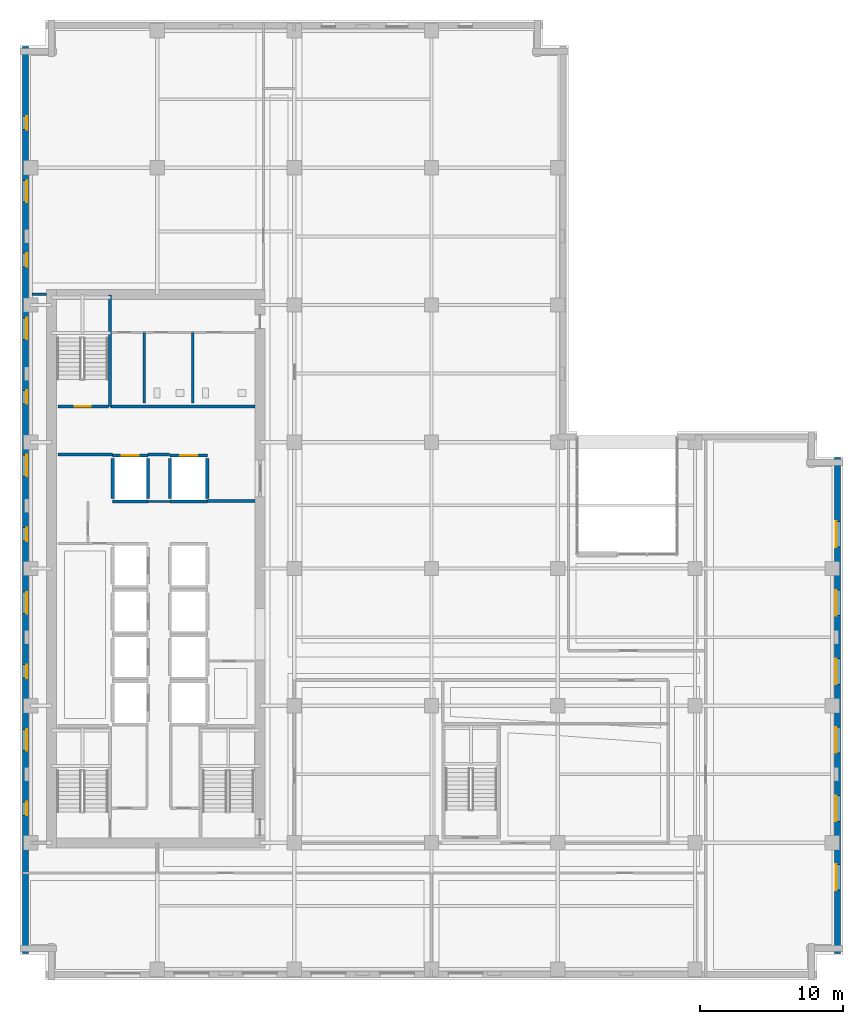
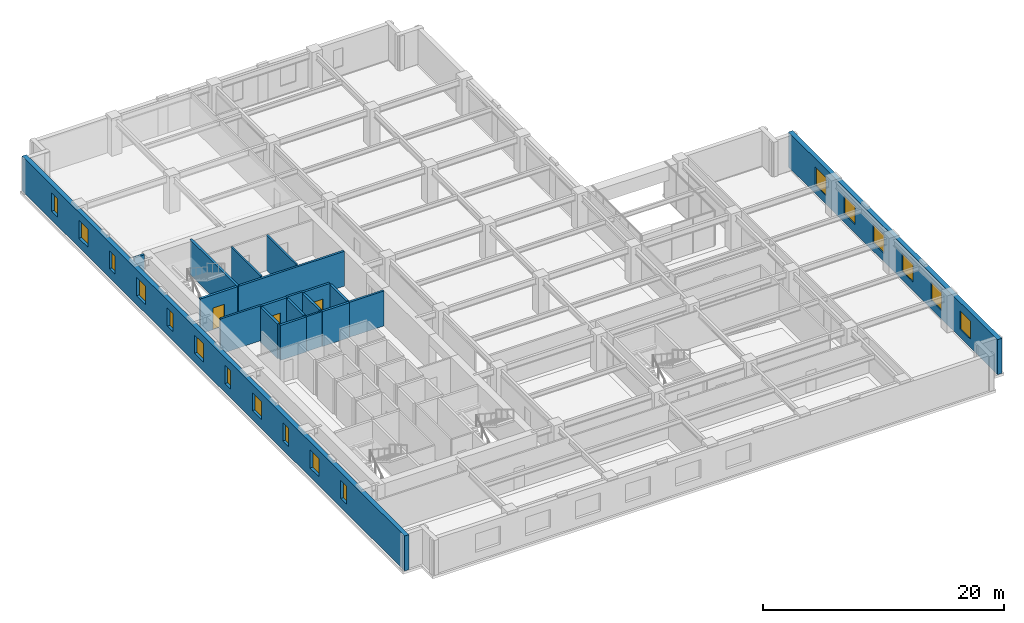
# One storey, part 6 of 14: 20 walls, 17 windows, 3 doors, 20 openings.
"""IFC4 building model written with IfcOpenShell, lengths in metres."""

from ifc_helpers import new_model, si_unit, direction, frame, frame_2d, origin, place, context, subcontext, project, spatial, rectangle, extrude, material, layer, layer_set, type_object, element, fill, save


model = new_model("IFC4")

# Units and contexts
model_context = context("Model", 3, precision=1e-05, world=origin(), true_north=direction((0.0, 1.0)))
body_context = subcontext(model_context, "Body", "Model", "MODEL_VIEW")
ifc_project = project(units=[si_unit("LENGTHUNIT", "METRE"), si_unit("AREAUNIT", "SQUARE_METRE"), si_unit("VOLUMEUNIT", "CUBIC_METRE"), si_unit("PLANEANGLEUNIT", "RADIAN"), si_unit("MASSUNIT", "GRAM", prefix="KILO")], contexts=[model_context])

# Site, building, storey
site_placement = place(None, origin())
site = spatial("IfcSite", under=ifc_project, at=site_placement, CompositionType="ELEMENT")
building_placement = place(site_placement, origin())
building = spatial("IfcBuilding", under=site, at=building_placement, Name="Norrvale University Quadrangle", CompositionType="ELEMENT")
storey_placement = place(building_placement, frame((0.0, 0.0, 116.60009765625)))
storey = spatial("IfcBuildingStorey", under=building, at=storey_placement, Name="L29", CompositionType="ELEMENT", Elevation=116.60009765625)

# Wall, openings, windows
ifc_material_1 = material(Name="Buff Norman Clay Brick Masonry", Category="masonry")
ifc_layer_1 = layer(ifc_material_1, 0.419921875, Name="Buff Norman Clay Brick Masonry")
ifc_layer_set_1 = layer_set([ifc_layer_1], Name="Buff Norman Clay Brick Masonry")
wall_type_1 = type_object("IfcWallType", Name="Wall Buff Brick 420", PredefinedType="SOLIDWALL", material=ifc_layer_set_1)
wall_1_placement = place(storey_placement, frame((57.2099609375, 1.840087890625, 0.0), z_axis=(0.0, 0.0, 1.0), x_axis=(0.0, 1.0, 0.0)))
wall_1 = element("IfcWall", 1, at=wall_1_placement, inside=storey, type_object=wall_type_1, Name="Exterior Brick Facade Wall L29-04.1", PredefinedType="SOLIDWALL", context=body_context, shape_type="SweptSolid", body=[
    extrude(rectangle(XDim=34.719970703125, YDim=0.419921875, at=frame_2d((17.35986328125, 0.0))), origin(), (0.0, 0.0, 1.0), 3.539794921875),
])
opening_1_placement = place(wall_1_placement, frame((4.4599609375, 0.0, 0.85009765625)))
opening_1 = element("IfcOpeningElement", 2, at=opening_1_placement, cuts=wall_1, Name="Opening W01", PredefinedType="OPENING", context=body_context, shape_type="SweptSolid", body=[
    extrude(rectangle(XDim=1.800048828125, YDim=1.85009765625, at=frame_2d((0.89990234375, 0.925048828125))), frame((0.0, 0.221923828125, 0.0), z_axis=(0.0, -1.0, 0.0), x_axis=(1.0, 0.0, 0.0)), (0.0, 0.0, 1.0), 0.44384765625),
])
opening_2_placement = place(wall_1_placement, frame((9.260009765625, 0.0, 0.85009765625)))
opening_2 = element("IfcOpeningElement", 3, at=opening_2_placement, cuts=wall_1, Name="Opening W01", PredefinedType="OPENING", context=body_context, shape_type="SweptSolid", body=[
    extrude(rectangle(XDim=1.800048828125, YDim=1.85009765625, at=frame_2d((0.89990234375, 0.925048828125))), frame((0.0, 0.221923828125, 0.0), z_axis=(0.0, -1.0, 0.0), x_axis=(1.0, 0.0, 0.0)), (0.0, 0.0, 1.0), 0.44384765625),
])
opening_3_placement = place(wall_1_placement, frame((14.06005859375, 0.0, 0.85009765625)))
opening_3 = element("IfcOpeningElement", 4, at=opening_3_placement, cuts=wall_1, Name="Opening W01", PredefinedType="OPENING", context=body_context, shape_type="SweptSolid", body=[
    extrude(rectangle(XDim=1.800048828125, YDim=1.85009765625, at=frame_2d((0.89990234375, 0.925048828125))), frame((0.0, 0.221923828125, 0.0), z_axis=(0.0, -1.0, 0.0), x_axis=(1.0, 0.0, 0.0)), (0.0, 0.0, 1.0), 0.44384765625),
])
opening_4_placement = place(wall_1_placement, frame((18.860107421875, 0.0, 0.85009765625)))
opening_4 = element("IfcOpeningElement", 5, at=opening_4_placement, cuts=wall_1, Name="Opening W01", PredefinedType="OPENING", context=body_context, shape_type="SweptSolid", body=[
    extrude(rectangle(XDim=1.800048828125, YDim=1.85009765625, at=frame_2d((0.89990234375, 0.925048828125))), frame((0.0, 0.221923828125, 0.0), z_axis=(0.0, -1.0, 0.0), x_axis=(1.0, 0.0, 0.0)), (0.0, 0.0, 1.0), 0.44384765625),
])
opening_5_placement = place(wall_1_placement, frame((23.659912109375, 0.0, 0.85009765625)))
opening_5 = element("IfcOpeningElement", 6, at=opening_5_placement, cuts=wall_1, Name="Opening W01", PredefinedType="OPENING", context=body_context, shape_type="SweptSolid", body=[
    extrude(rectangle(XDim=1.800048828125, YDim=1.85009765625, at=frame_2d((0.89990234375, 0.925048828125))), frame((0.0, 0.221923828125, 0.0), z_axis=(0.0, -1.0, 0.0), x_axis=(1.0, 0.0, 0.0)), (0.0, 0.0, 1.0), 0.44384765625),
])
opening_6_placement = place(wall_1_placement, frame((28.4599609375, 0.0, 0.85009765625)))
opening_6 = element("IfcOpeningElement", 7, at=opening_6_placement, cuts=wall_1, Name="Opening W01", PredefinedType="OPENING", context=body_context, shape_type="SweptSolid", body=[
    extrude(rectangle(XDim=1.800048828125, YDim=1.85009765625, at=frame_2d((0.89990234375, 0.925048828125))), frame((0.0, 0.221923828125, 0.0), z_axis=(0.0, -1.0, 0.0), x_axis=(1.0, 0.0, 0.0)), (0.0, 0.0, 1.0), 0.44384765625),
])
ifc_material_2 = material(Name="Triple Low-E Argon Glazing", Category="glass")
window_type_1 = type_object("IfcWindowType", Name="Window Academic 1800x2300", PartitioningType="DOUBLE_PANEL_VERTICAL", PredefinedType="WINDOW", material=ifc_material_2)
window_1_placement = place(opening_1_placement, origin())
window_1 = element("IfcWindow", 8, at=window_1_placement, inside=storey, type_object=window_type_1, Name="Window Academic 1800x2300 WIN-L29-E04-1-01", OverallHeight=1.85009765625, OverallWidth=1.800048828125, PartitioningType="DOUBLE_PANEL_VERTICAL", PredefinedType="WINDOW", context=body_context, shape_type="SweptSolid", body=[
    extrude(rectangle(XDim=1.800048828125, YDim=1.85009765625, at=frame_2d((0.89990234375, 0.925048828125))), frame((0.0, 0.110107421875, 0.0), z_axis=(0.0, -1.0, 0.0), x_axis=(1.0, 0.0, 0.0)), (0.0, 0.0, 1.0), 0.06005859375),
])
fill(opening_1, window_1)
window_2_placement = place(opening_2_placement, origin())
window_2 = element("IfcWindow", 9, at=window_2_placement, inside=storey, type_object=window_type_1, Name="Window Academic 1800x2300 WIN-L29-E04-1-02", OverallHeight=1.85009765625, OverallWidth=1.800048828125, PartitioningType="DOUBLE_PANEL_VERTICAL", PredefinedType="WINDOW", context=body_context, shape_type="SweptSolid", body=[
    extrude(rectangle(XDim=1.800048828125, YDim=1.85009765625, at=frame_2d((0.89990234375, 0.925048828125))), frame((0.0, 0.110107421875, 0.0), z_axis=(0.0, -1.0, 0.0), x_axis=(1.0, 0.0, 0.0)), (0.0, 0.0, 1.0), 0.06005859375),
])
fill(opening_2, window_2)
window_3_placement = place(opening_3_placement, origin())
window_3 = element("IfcWindow", 10, at=window_3_placement, inside=storey, type_object=window_type_1, Name="Window Academic 1800x2300 WIN-L29-E04-1-03", OverallHeight=1.85009765625, OverallWidth=1.800048828125, PartitioningType="DOUBLE_PANEL_VERTICAL", PredefinedType="WINDOW", context=body_context, shape_type="SweptSolid", body=[
    extrude(rectangle(XDim=1.800048828125, YDim=1.85009765625, at=frame_2d((0.89990234375, 0.925048828125))), frame((0.0, 0.110107421875, 0.0), z_axis=(0.0, -1.0, 0.0), x_axis=(1.0, 0.0, 0.0)), (0.0, 0.0, 1.0), 0.06005859375),
])
fill(opening_3, window_3)
window_4_placement = place(opening_4_placement, origin())
window_4 = element("IfcWindow", 11, at=window_4_placement, inside=storey, type_object=window_type_1, Name="Window Academic 1800x2300 WIN-L29-E04-1-04", OverallHeight=1.85009765625, OverallWidth=1.800048828125, PartitioningType="DOUBLE_PANEL_VERTICAL", PredefinedType="WINDOW", context=body_context, shape_type="SweptSolid", body=[
    extrude(rectangle(XDim=1.800048828125, YDim=1.85009765625, at=frame_2d((0.89990234375, 0.925048828125))), frame((0.0, 0.110107421875, 0.0), z_axis=(0.0, -1.0, 0.0), x_axis=(1.0, 0.0, 0.0)), (0.0, 0.0, 1.0), 0.06005859375),
])
fill(opening_4, window_4)
window_5_placement = place(opening_5_placement, origin())
window_5 = element("IfcWindow", 12, at=window_5_placement, inside=storey, type_object=window_type_1, Name="Window Academic 1800x2300 WIN-L29-E04-1-05", OverallHeight=1.85009765625, OverallWidth=1.800048828125, PartitioningType="DOUBLE_PANEL_VERTICAL", PredefinedType="WINDOW", context=body_context, shape_type="SweptSolid", body=[
    extrude(rectangle(XDim=1.800048828125, YDim=1.85009765625, at=frame_2d((0.89990234375, 0.925048828125))), frame((0.0, 0.110107421875, 0.0), z_axis=(0.0, -1.0, 0.0), x_axis=(1.0, 0.0, 0.0)), (0.0, 0.0, 1.0), 0.06005859375),
])
fill(opening_5, window_5)
window_6_placement = place(opening_6_placement, origin())
window_6 = element("IfcWindow", 13, at=window_6_placement, inside=storey, type_object=window_type_1, Name="Window Academic 1800x2300 WIN-L29-E04-1-06", OverallHeight=1.85009765625, OverallWidth=1.800048828125, PartitioningType="DOUBLE_PANEL_VERTICAL", PredefinedType="WINDOW", context=body_context, shape_type="SweptSolid", body=[
    extrude(rectangle(XDim=1.800048828125, YDim=1.85009765625, at=frame_2d((0.89990234375, 0.925048828125))), frame((0.0, 0.110107421875, 0.0), z_axis=(0.0, -1.0, 0.0), x_axis=(1.0, 0.0, 0.0)), (0.0, 0.0, 1.0), 0.06005859375),
])
fill(opening_6, window_6)

wall_2_placement = place(storey_placement, frame((0.389892578125, 65.360107421875, 0.0), z_axis=(0.0, 0.0, 1.0), x_axis=(0.0, -1.0, 0.0)))
wall_2 = element("IfcWall", 14, at=wall_2_placement, inside=storey, type_object=wall_type_1, Name="Exterior Brick Facade Wall L29-14.1", PredefinedType="SOLIDWALL", context=body_context, shape_type="SweptSolid", body=[
    extrude(rectangle(XDim=63.52001953125, YDim=0.419921875, at=frame_2d((31.760009765625, 0.0))), origin(), (0.0, 0.0, 1.0), 3.539794921875),
])
opening_7_placement = place(wall_2_placement, frame((4.885009765625, 0.0, 0.89990234375)))
opening_7 = element("IfcOpeningElement", 15, at=opening_7_placement, cuts=wall_2, Name="Opening W04", PredefinedType="OPENING", context=body_context, shape_type="SweptSolid", body=[
    extrude(rectangle(XDim=0.949951171875, YDim=1.85009765625, at=frame_2d((0.47509765625, 0.925048828125))), frame((0.0, 0.221923828125, 0.0), z_axis=(0.0, -1.0, 0.0), x_axis=(1.0, 0.0, 0.0)), (0.0, 0.0, 1.0), 0.44384765625),
])
opening_8_placement = place(wall_2_placement, frame((9.409912109375, 0.0, 0.89990234375)))
opening_8 = element("IfcOpeningElement", 16, at=opening_8_placement, cuts=wall_2, Name="Opening W03", PredefinedType="OPENING", context=body_context, shape_type="SweptSolid", body=[
    extrude(rectangle(XDim=1.5, YDim=1.85009765625, at=frame_2d((0.75, 0.925048828125))), frame((0.0, 0.221923828125, 0.0), z_axis=(0.0, -1.0, 0.0), x_axis=(1.0, 0.0, 0.0)), (0.0, 0.0, 1.0), 0.44384765625),
])
opening_9_placement = place(wall_2_placement, frame((14.485107421875, 0.0, 0.89990234375)))
opening_9 = element("IfcOpeningElement", 17, at=opening_9_placement, cuts=wall_2, Name="Opening W04", PredefinedType="OPENING", context=body_context, shape_type="SweptSolid", body=[
    extrude(rectangle(XDim=0.949951171875, YDim=1.85009765625, at=frame_2d((0.47509765625, 0.925048828125))), frame((0.0, 0.221923828125, 0.0), z_axis=(0.0, -1.0, 0.0), x_axis=(1.0, 0.0, 0.0)), (0.0, 0.0, 1.0), 0.44384765625),
])
opening_10_placement = place(wall_2_placement, frame((19.010009765625, 0.0, 0.89990234375)))
opening_10 = element("IfcOpeningElement", 18, at=opening_10_placement, cuts=wall_2, Name="Opening W03", PredefinedType="OPENING", context=body_context, shape_type="SweptSolid", body=[
    extrude(rectangle(XDim=1.5, YDim=1.85009765625, at=frame_2d((0.75, 0.925048828125))), frame((0.0, 0.221923828125, 0.0), z_axis=(0.0, -1.0, 0.0), x_axis=(1.0, 0.0, 0.0)), (0.0, 0.0, 1.0), 0.44384765625),
])
opening_11_placement = place(wall_2_placement, frame((24.0849609375, 0.0, 0.89990234375)))
opening_11 = element("IfcOpeningElement", 19, at=opening_11_placement, cuts=wall_2, Name="Opening W04", PredefinedType="OPENING", context=body_context, shape_type="SweptSolid", body=[
    extrude(rectangle(XDim=0.949951171875, YDim=1.85009765625, at=frame_2d((0.47509765625, 0.925048828125))), frame((0.0, 0.221923828125, 0.0), z_axis=(0.0, -1.0, 0.0), x_axis=(1.0, 0.0, 0.0)), (0.0, 0.0, 1.0), 0.44384765625),
])
opening_12_placement = place(wall_2_placement, frame((28.610107421875, 0.0, 0.89990234375)))
opening_12 = element("IfcOpeningElement", 20, at=opening_12_placement, cuts=wall_2, Name="Opening W03", PredefinedType="OPENING", context=body_context, shape_type="SweptSolid", body=[
    extrude(rectangle(XDim=1.5, YDim=1.85009765625, at=frame_2d((0.75, 0.925048828125))), frame((0.0, 0.221923828125, 0.0), z_axis=(0.0, -1.0, 0.0), x_axis=(1.0, 0.0, 0.0)), (0.0, 0.0, 1.0), 0.44384765625),
])
opening_13_placement = place(wall_2_placement, frame((33.68505859375, 0.0, 0.89990234375)))
opening_13 = element("IfcOpeningElement", 21, at=opening_13_placement, cuts=wall_2, Name="Opening W04", PredefinedType="OPENING", context=body_context, shape_type="SweptSolid", body=[
    extrude(rectangle(XDim=0.949951171875, YDim=1.85009765625, at=frame_2d((0.47509765625, 0.925048828125))), frame((0.0, 0.221923828125, 0.0), z_axis=(0.0, -1.0, 0.0), x_axis=(1.0, 0.0, 0.0)), (0.0, 0.0, 1.0), 0.44384765625),
])
opening_14_placement = place(wall_2_placement, frame((38.2099609375, 0.0, 0.89990234375)))
opening_14 = element("IfcOpeningElement", 22, at=opening_14_placement, cuts=wall_2, Name="Opening W03", PredefinedType="OPENING", context=body_context, shape_type="SweptSolid", body=[
    extrude(rectangle(XDim=1.5, YDim=1.85009765625, at=frame_2d((0.75, 0.925048828125))), frame((0.0, 0.221923828125, 0.0), z_axis=(0.0, -1.0, 0.0), x_axis=(1.0, 0.0, 0.0)), (0.0, 0.0, 1.0), 0.44384765625),
])
opening_15_placement = place(wall_2_placement, frame((43.284912109375, 0.0, 0.89990234375)))
opening_15 = element("IfcOpeningElement", 23, at=opening_15_placement, cuts=wall_2, Name="Opening W04", PredefinedType="OPENING", context=body_context, shape_type="SweptSolid", body=[
    extrude(rectangle(XDim=0.949951171875, YDim=1.85009765625, at=frame_2d((0.47509765625, 0.925048828125))), frame((0.0, 0.221923828125, 0.0), z_axis=(0.0, -1.0, 0.0), x_axis=(1.0, 0.0, 0.0)), (0.0, 0.0, 1.0), 0.44384765625),
])
opening_16_placement = place(wall_2_placement, frame((47.81005859375, 0.0, 0.89990234375)))
opening_16 = element("IfcOpeningElement", 24, at=opening_16_placement, cuts=wall_2, Name="Opening W03", PredefinedType="OPENING", context=body_context, shape_type="SweptSolid", body=[
    extrude(rectangle(XDim=1.5, YDim=1.85009765625, at=frame_2d((0.75, 0.925048828125))), frame((0.0, 0.221923828125, 0.0), z_axis=(0.0, -1.0, 0.0), x_axis=(1.0, 0.0, 0.0)), (0.0, 0.0, 1.0), 0.44384765625),
])
opening_17_placement = place(wall_2_placement, frame((52.885009765625, 0.0, 0.89990234375)))
opening_17 = element("IfcOpeningElement", 25, at=opening_17_placement, cuts=wall_2, Name="Opening W04", PredefinedType="OPENING", context=body_context, shape_type="SweptSolid", body=[
    extrude(rectangle(XDim=0.949951171875, YDim=1.85009765625, at=frame_2d((0.47509765625, 0.925048828125))), frame((0.0, 0.221923828125, 0.0), z_axis=(0.0, -1.0, 0.0), x_axis=(1.0, 0.0, 0.0)), (0.0, 0.0, 1.0), 0.44384765625),
])
window_type_2 = type_object("IfcWindowType", Name="Window Narrow Pier 950x2300", PartitioningType="SINGLE_PANEL", PredefinedType="WINDOW", material=ifc_material_2)
window_7_placement = place(opening_7_placement, origin())
window_7 = element("IfcWindow", 26, at=window_7_placement, inside=storey, type_object=window_type_2, Name="Window Narrow Pier 950x2300 WIN-L29-E14-1-01", OverallHeight=1.85009765625, OverallWidth=0.949951171875, PartitioningType="SINGLE_PANEL", PredefinedType="WINDOW", context=body_context, shape_type="SweptSolid", body=[
    extrude(rectangle(XDim=0.949951171875, YDim=1.85009765625, at=frame_2d((0.47509765625, 0.925048828125))), frame((0.0, 0.110107421875, 0.0), z_axis=(0.0, -1.0, 0.0), x_axis=(1.0, 0.0, 0.0)), (0.0, 0.0, 1.0), 0.06005859375),
])
fill(opening_7, window_7)
window_8_placement = place(opening_9_placement, origin())
window_8 = element("IfcWindow", 27, at=window_8_placement, inside=storey, type_object=window_type_2, Name="Window Narrow Pier 950x2300 WIN-L29-E14-1-03", OverallHeight=1.85009765625, OverallWidth=0.949951171875, PartitioningType="SINGLE_PANEL", PredefinedType="WINDOW", context=body_context, shape_type="SweptSolid", body=[
    extrude(rectangle(XDim=0.949951171875, YDim=1.85009765625, at=frame_2d((0.47509765625, 0.925048828125))), frame((0.0, 0.110107421875, 0.0), z_axis=(0.0, -1.0, 0.0), x_axis=(1.0, 0.0, 0.0)), (0.0, 0.0, 1.0), 0.06005859375),
])
fill(opening_9, window_8)
window_9_placement = place(opening_11_placement, origin())
window_9 = element("IfcWindow", 28, at=window_9_placement, inside=storey, type_object=window_type_2, Name="Window Narrow Pier 950x2300 WIN-L29-E14-1-05", OverallHeight=1.85009765625, OverallWidth=0.949951171875, PartitioningType="SINGLE_PANEL", PredefinedType="WINDOW", context=body_context, shape_type="SweptSolid", body=[
    extrude(rectangle(XDim=0.949951171875, YDim=1.85009765625, at=frame_2d((0.47509765625, 0.925048828125))), frame((0.0, 0.110107421875, 0.0), z_axis=(0.0, -1.0, 0.0), x_axis=(1.0, 0.0, 0.0)), (0.0, 0.0, 1.0), 0.06005859375),
])
fill(opening_11, window_9)
window_10_placement = place(opening_13_placement, origin())
window_10 = element("IfcWindow", 29, at=window_10_placement, inside=storey, type_object=window_type_2, Name="Window Narrow Pier 950x2300 WIN-L29-E14-1-07", OverallHeight=1.85009765625, OverallWidth=0.949951171875, PartitioningType="SINGLE_PANEL", PredefinedType="WINDOW", context=body_context, shape_type="SweptSolid", body=[
    extrude(rectangle(XDim=0.949951171875, YDim=1.85009765625, at=frame_2d((0.47509765625, 0.925048828125))), frame((0.0, 0.110107421875, 0.0), z_axis=(0.0, -1.0, 0.0), x_axis=(1.0, 0.0, 0.0)), (0.0, 0.0, 1.0), 0.06005859375),
])
fill(opening_13, window_10)
window_11_placement = place(opening_15_placement, origin())
window_11 = element("IfcWindow", 30, at=window_11_placement, inside=storey, type_object=window_type_2, Name="Window Narrow Pier 950x2300 WIN-L29-E14-1-09", OverallHeight=1.85009765625, OverallWidth=0.949951171875, PartitioningType="SINGLE_PANEL", PredefinedType="WINDOW", context=body_context, shape_type="SweptSolid", body=[
    extrude(rectangle(XDim=0.949951171875, YDim=1.85009765625, at=frame_2d((0.47509765625, 0.925048828125))), frame((0.0, 0.110107421875, 0.0), z_axis=(0.0, -1.0, 0.0), x_axis=(1.0, 0.0, 0.0)), (0.0, 0.0, 1.0), 0.06005859375),
])
fill(opening_15, window_11)
window_12_placement = place(opening_17_placement, origin())
window_12 = element("IfcWindow", 31, at=window_12_placement, inside=storey, type_object=window_type_2, Name="Window Narrow Pier 950x2300 WIN-L29-E14-1-11", OverallHeight=1.85009765625, OverallWidth=0.949951171875, PartitioningType="SINGLE_PANEL", PredefinedType="WINDOW", context=body_context, shape_type="SweptSolid", body=[
    extrude(rectangle(XDim=0.949951171875, YDim=1.85009765625, at=frame_2d((0.47509765625, 0.925048828125))), frame((0.0, 0.110107421875, 0.0), z_axis=(0.0, -1.0, 0.0), x_axis=(1.0, 0.0, 0.0)), (0.0, 0.0, 1.0), 0.06005859375),
])
fill(opening_17, window_12)
window_type_3 = type_object("IfcWindowType", Name="Window Studio 1500x2300", PartitioningType="DOUBLE_PANEL_VERTICAL", PredefinedType="WINDOW", material=ifc_material_2)
window_13_placement = place(opening_8_placement, origin())
window_13 = element("IfcWindow", 32, at=window_13_placement, inside=storey, type_object=window_type_3, Name="Window Studio 1500x2300 WIN-L29-E14-1-02", OverallHeight=1.85009765625, OverallWidth=1.5, PartitioningType="DOUBLE_PANEL_VERTICAL", PredefinedType="WINDOW", context=body_context, shape_type="SweptSolid", body=[
    extrude(rectangle(XDim=1.5, YDim=1.85009765625, at=frame_2d((0.75, 0.925048828125))), frame((0.0, 0.110107421875, 0.0), z_axis=(0.0, -1.0, 0.0), x_axis=(1.0, 0.0, 0.0)), (0.0, 0.0, 1.0), 0.06005859375),
])
fill(opening_8, window_13)
window_14_placement = place(opening_10_placement, origin())
window_14 = element("IfcWindow", 33, at=window_14_placement, inside=storey, type_object=window_type_3, Name="Window Studio 1500x2300 WIN-L29-E14-1-04", OverallHeight=1.85009765625, OverallWidth=1.5, PartitioningType="DOUBLE_PANEL_VERTICAL", PredefinedType="WINDOW", context=body_context, shape_type="SweptSolid", body=[
    extrude(rectangle(XDim=1.5, YDim=1.85009765625, at=frame_2d((0.75, 0.925048828125))), frame((0.0, 0.110107421875, 0.0), z_axis=(0.0, -1.0, 0.0), x_axis=(1.0, 0.0, 0.0)), (0.0, 0.0, 1.0), 0.06005859375),
])
fill(opening_10, window_14)
window_15_placement = place(opening_12_placement, origin())
window_15 = element("IfcWindow", 34, at=window_15_placement, inside=storey, type_object=window_type_3, Name="Window Studio 1500x2300 WIN-L29-E14-1-06", OverallHeight=1.85009765625, OverallWidth=1.5, PartitioningType="DOUBLE_PANEL_VERTICAL", PredefinedType="WINDOW", context=body_context, shape_type="SweptSolid", body=[
    extrude(rectangle(XDim=1.5, YDim=1.85009765625, at=frame_2d((0.75, 0.925048828125))), frame((0.0, 0.110107421875, 0.0), z_axis=(0.0, -1.0, 0.0), x_axis=(1.0, 0.0, 0.0)), (0.0, 0.0, 1.0), 0.06005859375),
])
fill(opening_12, window_15)
window_16_placement = place(opening_14_placement, origin())
window_16 = element("IfcWindow", 35, at=window_16_placement, inside=storey, type_object=window_type_3, Name="Window Studio 1500x2300 WIN-L29-E14-1-08", OverallHeight=1.85009765625, OverallWidth=1.5, PartitioningType="DOUBLE_PANEL_VERTICAL", PredefinedType="WINDOW", context=body_context, shape_type="SweptSolid", body=[
    extrude(rectangle(XDim=1.5, YDim=1.85009765625, at=frame_2d((0.75, 0.925048828125))), frame((0.0, 0.110107421875, 0.0), z_axis=(0.0, -1.0, 0.0), x_axis=(1.0, 0.0, 0.0)), (0.0, 0.0, 1.0), 0.06005859375),
])
fill(opening_14, window_16)
window_17_placement = place(opening_16_placement, origin())
window_17 = element("IfcWindow", 36, at=window_17_placement, inside=storey, type_object=window_type_3, Name="Window Studio 1500x2300 WIN-L29-E14-1-10", OverallHeight=1.85009765625, OverallWidth=1.5, PartitioningType="DOUBLE_PANEL_VERTICAL", PredefinedType="WINDOW", context=body_context, shape_type="SweptSolid", body=[
    extrude(rectangle(XDim=1.5, YDim=1.85009765625, at=frame_2d((0.75, 0.925048828125))), frame((0.0, 0.110107421875, 0.0), z_axis=(0.0, -1.0, 0.0), x_axis=(1.0, 0.0, 0.0)), (0.0, 0.0, 1.0), 0.06005859375),
])
fill(opening_16, window_17)

# Walls
ifc_material_3 = material(Name="Fire-Rated Gypsum Stud Partition")
ifc_layer_2 = layer(ifc_material_3, 0.14990234375, Name="Fire-Rated Gypsum Stud Partition")
ifc_layer_set_2 = layer_set([ifc_layer_2], Name="Fire-Rated Gypsum Stud Partition")
wall_type_2 = type_object("IfcWallType", Name="Wall Gypsum Corridor 150", PredefinedType="PARTITIONING", material=ifc_layer_set_2)
wall_3_placement = place(storey_placement, frame((8.965087890625, 33.489990234375, 0.0), z_axis=(0.0, 0.0, 1.0), x_axis=(1.0, 0.0, 0.0)))
element("IfcWall", 37, at=wall_3_placement, inside=storey, type_object=wall_type_2, Name="Interior Partition WL-L29-LL3", PredefinedType="PARTITIONING", context=body_context, shape_type="SweptSolid", body=[
    extrude(rectangle(XDim=1.52001953125, YDim=0.14990234375, at=frame_2d((0.760009765625, 0.0))), origin(), (0.0, 0.0, 1.0), 3.539794921875),
])
ifc_material_4 = material(Name="Sanitary Chase Gypsum Partition")
ifc_layer_3 = layer(ifc_material_4, 0.1650390625, Name="Sanitary Chase Gypsum Partition")
ifc_layer_set_3 = layer_set([ifc_layer_3], Name="Sanitary Chase Gypsum Partition")
wall_type_3 = type_object("IfcWallType", Name="Wall Gypsum Sanitary 165", PredefinedType="PLUMBINGWALL", material=ifc_layer_set_3)
for number, where, z_axis, x_axis, name in (
    (38, (8.699951171875, 40.39990234375, 0.0), (0.0, 0.0, 1.0), (0.0, 1.0, 0.0), "Interior Partition WL-L29-WCM1"),
    (39, (12.10009765625, 40.39990234375, 0.0), (0.0, 0.0, 1.0), (0.0, 1.0, 0.0), "Interior Partition WL-L29-WCM2"),
):
    element("IfcWall", number, at=place(storey_placement, frame(where, z_axis=z_axis, x_axis=x_axis)), inside=storey, type_object=wall_type_3, Name=name, PredefinedType="PLUMBINGWALL", context=body_context, shape_type="SweptSolid", body=[
        extrude(rectangle(XDim=4.920166015625, YDim=0.1650390625, at=frame_2d((2.4599609375, 0.0))), origin(), (0.0, 0.0, 1.0), 3.539794921875),
    ])
ifc_material_5 = material(Name="Concrete Blockwork 20 MPa Rated Wall", Category="masonry")
ifc_layer_4 = layer(ifc_material_5, 0.199951171875, Name="Concrete Blockwork 20 MPa Rated Wall")
ifc_layer_set_4 = layer_set([ifc_layer_4], Name="Concrete Blockwork 20 MPa Rated Wall")
wall_type_4 = type_object("IfcWallType", Name="Wall Lobby 200", PredefinedType="SOLIDWALL", material=ifc_layer_set_4)
wall_4_placement = place(storey_placement, frame((2.64990234375, 36.780029296875, 0.0), z_axis=(0.0, 0.0, 1.0), x_axis=(1.0, 0.0, 0.0)))
element("IfcWall", 40, at=wall_4_placement, inside=storey, type_object=wall_type_4, Name="Interior Partition WL-L29-FF1", PredefinedType="SOLIDWALL", context=body_context, shape_type="SweptSolid", body=[
    extrude(rectangle(XDim=3.830078125, YDim=0.199951171875, at=frame_2d((1.9150390625, 0.0))), origin(), (0.0, 0.0, 1.0), 3.539794921875),
])
wall_5_placement = place(storey_placement, frame((8.969970703125, 36.780029296875, 0.0), z_axis=(0.0, 0.0, 1.0), x_axis=(1.0, 0.0, 0.0)))
element("IfcWall", 41, at=wall_5_placement, inside=storey, type_object=wall_type_4, Name="Interior Partition WL-L29-FF2", PredefinedType="SOLIDWALL", context=body_context, shape_type="SweptSolid", body=[
    extrude(rectangle(XDim=1.510009765625, YDim=0.199951171875, at=frame_2d((0.7548828125, 0.0))), origin(), (0.0, 0.0, 1.0), 3.539794921875),
])
wall_6_placement = place(storey_placement, frame((13.1201171875, 33.52001953125, 0.0), z_axis=(0.0, 0.0, 1.0), x_axis=(1.0, 0.0, 0.0)))
element("IfcWall", 42, at=wall_6_placement, inside=storey, type_object=wall_type_4, Name="Interior Partition WL-L29-FF3", PredefinedType="SOLIDWALL", context=body_context, shape_type="SweptSolid", body=[
    extrude(rectangle(XDim=3.329833984375, YDim=0.199951171875, at=frame_2d((1.6650390625, 0.0))), origin(), (0.0, 0.0, 1.0), 3.539794921875),
])
wall_7_placement = place(storey_placement, frame((6.320068359375, 40.139892578125, 0.0), z_axis=(0.0, 0.0, 1.0), x_axis=(1.0, 0.0, 0.0)))
element("IfcWall", 43, at=wall_7_placement, inside=storey, type_object=wall_type_4, Name="Interior Partition WL-L29-FF4", PredefinedType="SOLIDWALL", context=body_context, shape_type="SweptSolid", body=[
    extrude(rectangle(XDim=10.1298828125, YDim=0.199951171875, at=frame_2d((5.06494140625, 0.0))), origin(), (0.0, 0.0, 1.0), 3.539794921875),
])
wall_8_placement = place(storey_placement, frame((0.85009765625, 48.0, 0.0), z_axis=(0.0, 0.0, 1.0), x_axis=(1.0, 0.0, 0.0)))
element("IfcWall", 44, at=wall_8_placement, inside=storey, type_object=wall_type_4, Name="Interior Partition WL-L29-CWRET-N", PredefinedType="SOLIDWALL", context=body_context, shape_type="SweptSolid", body=[
    extrude(rectangle(XDim=0.994873046875, YDim=0.199951171875, at=frame_2d((0.49755859375, 0.0))), origin(), (0.0, 0.0, 1.0), 3.539794921875),
])

# Wall, opening, door
ifc_material_6 = material(Name="Concrete Blockwork 20 MPa Fire Shaft", Category="masonry")
ifc_layer_5 = layer(ifc_material_6, 0.219970703125, Name="Concrete Blockwork 20 MPa Fire Shaft")
ifc_layer_set_5 = layer_set([ifc_layer_5], Name="Concrete Blockwork 20 MPa Fire Shaft")
wall_type_5 = type_object("IfcWallType", Name="Wall Shaft 220", PredefinedType="SOLIDWALL", material=ifc_layer_set_5)
wall_9_placement = place(storey_placement, frame((2.64990234375, 40.139892578125, 0.0), z_axis=(0.0, 0.0, 1.0), x_axis=(1.0, 0.0, 0.0)))
wall_9 = element("IfcWall", 45, at=wall_9_placement, inside=storey, type_object=wall_type_5, Name="Stair ST-02 South Shaft Wall L29", PredefinedType="SOLIDWALL", context=body_context, shape_type="SweptSolid", body=[
    extrude(rectangle(XDim=3.550048828125, YDim=0.219970703125, at=frame_2d((1.77490234375, 0.0))), origin(), (0.0, 0.0, 1.0), 3.539794921875),
])
opening_18_placement = place(wall_9_placement, frame((1.199951171875, 0.0, 0.0)))
opening_18 = element("IfcOpeningElement", 46, at=opening_18_placement, cuts=wall_9, Name="Opening D02", PredefinedType="OPENING", context=body_context, shape_type="SweptSolid", body=[
    extrude(rectangle(XDim=1.10009765625, YDim=2.199951171875, at=frame_2d((0.550048828125, 1.10009765625))), frame((0.0, 0.1220703125, 0.0), z_axis=(0.0, -1.0, 0.0), x_axis=(1.0, 0.0, 0.0)), (0.0, 0.0, 1.0), 0.243896484375),
])
ifc_material_7 = material(Name="Hollow Steel 350W Fire Door", Category="steel")
door_type_1 = type_object("IfcDoorType", Name="Door Stair Exit 1100x2200", OperationType="NOTDEFINED", PredefinedType="DOOR", material=ifc_material_7)
door_1_placement = place(opening_18_placement, origin())
door_1 = element("IfcDoor", 47, at=door_1_placement, inside=storey, type_object=door_type_1, Name="Door Stair Exit 1100x2200 DR-L29-ST02", OperationType="SINGLE_SWING_LEFT", OverallHeight=2.199951171875, OverallWidth=1.10009765625, PredefinedType="DOOR", context=body_context, shape_type="SweptSolid", body=[
    extrude(rectangle(XDim=1.10009765625, YDim=2.199951171875, at=frame_2d((0.550048828125, 1.10009765625))), frame((0.0, 0.02490234375, 0.0), z_axis=(0.0, -1.0, 0.0), x_axis=(1.0, 0.0, 0.0)), (0.0, 0.0, 1.0), 0.050048828125),
])
fill(opening_18, door_1)

# Walls
wall_10_placement = place(storey_placement, frame((6.31005859375, 40.139892578125, 0.0), z_axis=(0.0, 0.0, 1.0), x_axis=(0.0, 1.0, 0.0)))
element("IfcWall", 48, at=wall_10_placement, inside=storey, type_object=wall_type_5, Name="Stair ST-02 East Shaft Wall L29", PredefinedType="SOLIDWALL", context=body_context, shape_type="SweptSolid", body=[
    extrude(rectangle(XDim=7.81005859375, YDim=0.219970703125, at=frame_2d((3.905029296875, 0.0))), origin(), (0.0, 0.0, 1.0), 3.539794921875),
])
for number, where, z_axis, x_axis, name in (
    (49, (6.489990234375, 33.7099609375, 0.0), (0.0, 0.0, 1.0), (0.0, 1.0, 0.0), "Hoistway FFL-01 West Wall L29"),
    (50, (8.9599609375, 33.7099609375, 0.0), (0.0, 0.0, 1.0), (0.0, 1.0, 0.0), "Hoistway FFL-01 East Wall L29"),
):
    element("IfcWall", number, at=place(storey_placement, frame(where, z_axis=z_axis, x_axis=x_axis)), inside=storey, type_object=wall_type_5, Name=name, PredefinedType="SOLIDWALL", context=body_context, shape_type="SweptSolid", body=[
        extrude(rectangle(XDim=2.780029296875, YDim=0.219970703125, at=frame_2d((1.39013671875, 0.0))), origin(), (0.0, 0.0, 1.0), 3.539794921875),
    ])
wall_11_placement = place(storey_placement, frame((6.489990234375, 33.489990234375, 0.0), z_axis=(0.0, 0.0, 1.0), x_axis=(1.0, 0.0, 0.0)))
element("IfcWall", 51, at=wall_11_placement, inside=storey, type_object=wall_type_5, Name="Hoistway FFL-01 South Wall L29", PredefinedType="SOLIDWALL", context=body_context, shape_type="SweptSolid", body=[
    extrude(rectangle(XDim=2.469970703125, YDim=0.219970703125, at=frame_2d((1.23486328125, 0.0))), origin(), (0.0, 0.0, 1.0), 3.539794921875),
])

# Wall, opening, door
wall_12_placement = place(storey_placement, frame((6.489990234375, 36.7099609375, 0.0), z_axis=(0.0, 0.0, 1.0), x_axis=(1.0, 0.0, 0.0)))
wall_12 = element("IfcWall", 52, at=wall_12_placement, inside=storey, type_object=wall_type_5, Name="Hoistway FFL-01 North Wall L29", PredefinedType="SOLIDWALL", context=body_context, shape_type="SweptSolid", body=[
    extrude(rectangle(XDim=2.469970703125, YDim=0.219970703125, at=frame_2d((1.23486328125, 0.0))), origin(), (0.0, 0.0, 1.0), 3.539794921875),
])
opening_19_placement = place(wall_12_placement, frame((0.635009765625, 0.0, 0.0)))
opening_19 = element("IfcOpeningElement", 53, at=opening_19_placement, cuts=wall_12, Name="Opening LD2", PredefinedType="OPENING", context=body_context, shape_type="SweptSolid", body=[
    extrude(rectangle(XDim=1.199951171875, YDim=2.199951171875, at=frame_2d((0.60009765625, 1.10009765625))), frame((0.0, 0.1220703125, 0.0), z_axis=(0.0, -1.0, 0.0), x_axis=(1.0, 0.0, 0.0)), (0.0, 0.0, 1.0), 0.243896484375),
])
ifc_material_8 = material(Name="Stainless Steel 316L Firefighter Lift Door", Category="steel")
door_type_2 = type_object("IfcDoorType", Name="Door Fire Lift 1200x2200", OperationType="DOUBLE_DOOR_SLIDING", PredefinedType="DOOR", material=ifc_material_8)
door_2_placement = place(opening_19_placement, origin())
door_2 = element("IfcDoor", 54, at=door_2_placement, inside=storey, type_object=door_type_2, Name="Elevator Landing Door DR-L29-FFL-01", OperationType="DOUBLE_DOOR_SLIDING", OverallHeight=2.199951171875, OverallWidth=1.199951171875, PredefinedType="DOOR", context=body_context, shape_type="SweptSolid", body=[
    extrude(rectangle(XDim=1.199951171875, YDim=2.199951171875, at=frame_2d((0.60009765625, 1.10009765625))), frame((0.0, 0.02490234375, 0.0), z_axis=(0.0, -1.0, 0.0), x_axis=(1.0, 0.0, 0.0)), (0.0, 0.0, 1.0), 0.050048828125),
])
fill(opening_19, door_2)

# Walls
for number, where, z_axis, x_axis, name in (
    (55, (10.489990234375, 33.7099609375, 0.0), (0.0, 0.0, 1.0), (0.0, 1.0, 0.0), "Hoistway FFL-02 West Wall L29"),
    (56, (13.110107421875, 33.7099609375, 0.0), (0.0, 0.0, 1.0), (0.0, 1.0, 0.0), "Hoistway FFL-02 East Wall L29"),
):
    element("IfcWall", number, at=place(storey_placement, frame(where, z_axis=z_axis, x_axis=x_axis)), inside=storey, type_object=wall_type_5, Name=name, PredefinedType="SOLIDWALL", context=body_context, shape_type="SweptSolid", body=[
        extrude(rectangle(XDim=2.780029296875, YDim=0.219970703125, at=frame_2d((1.39013671875, 0.0))), origin(), (0.0, 0.0, 1.0), 3.539794921875),
    ])
wall_13_placement = place(storey_placement, frame((10.489990234375, 33.489990234375, 0.0), z_axis=(0.0, 0.0, 1.0), x_axis=(1.0, 0.0, 0.0)))
element("IfcWall", 57, at=wall_13_placement, inside=storey, type_object=wall_type_5, Name="Hoistway FFL-02 South Wall L29", PredefinedType="SOLIDWALL", context=body_context, shape_type="SweptSolid", body=[
    extrude(rectangle(XDim=2.6201171875, YDim=0.219970703125, at=frame_2d((1.31005859375, 0.0))), origin(), (0.0, 0.0, 1.0), 3.539794921875),
])

# Wall, opening, door
wall_14_placement = place(storey_placement, frame((10.489990234375, 36.7099609375, 0.0), z_axis=(0.0, 0.0, 1.0), x_axis=(1.0, 0.0, 0.0)))
wall_14 = element("IfcWall", 58, at=wall_14_placement, inside=storey, type_object=wall_type_5, Name="Hoistway FFL-02 North Wall L29", PredefinedType="SOLIDWALL", context=body_context, shape_type="SweptSolid", body=[
    extrude(rectangle(XDim=2.6201171875, YDim=0.219970703125, at=frame_2d((1.31005859375, 0.0))), origin(), (0.0, 0.0, 1.0), 3.539794921875),
])
opening_20_placement = place(wall_14_placement, frame((0.7099609375, 0.0, 0.0)))
opening_20 = element("IfcOpeningElement", 59, at=opening_20_placement, cuts=wall_14, Name="Opening LD2", PredefinedType="OPENING", context=body_context, shape_type="SweptSolid", body=[
    extrude(rectangle(XDim=1.199951171875, YDim=2.199951171875, at=frame_2d((0.60009765625, 1.10009765625))), frame((0.0, 0.1220703125, 0.0), z_axis=(0.0, -1.0, 0.0), x_axis=(1.0, 0.0, 0.0)), (0.0, 0.0, 1.0), 0.243896484375),
])
door_3_placement = place(opening_20_placement, origin())
door_3 = element("IfcDoor", 60, at=door_3_placement, inside=storey, type_object=door_type_2, Name="Elevator Landing Door DR-L29-FFL-02", OperationType="DOUBLE_DOOR_SLIDING", OverallHeight=2.199951171875, OverallWidth=1.199951171875, PredefinedType="DOOR", context=body_context, shape_type="SweptSolid", body=[
    extrude(rectangle(XDim=1.199951171875, YDim=2.199951171875, at=frame_2d((0.60009765625, 1.10009765625))), frame((0.0, 0.02490234375, 0.0), z_axis=(0.0, -1.0, 0.0), x_axis=(1.0, 0.0, 0.0)), (0.0, 0.0, 1.0), 0.050048828125),
])
fill(opening_20, door_3)

save(model, "model.ifc")
